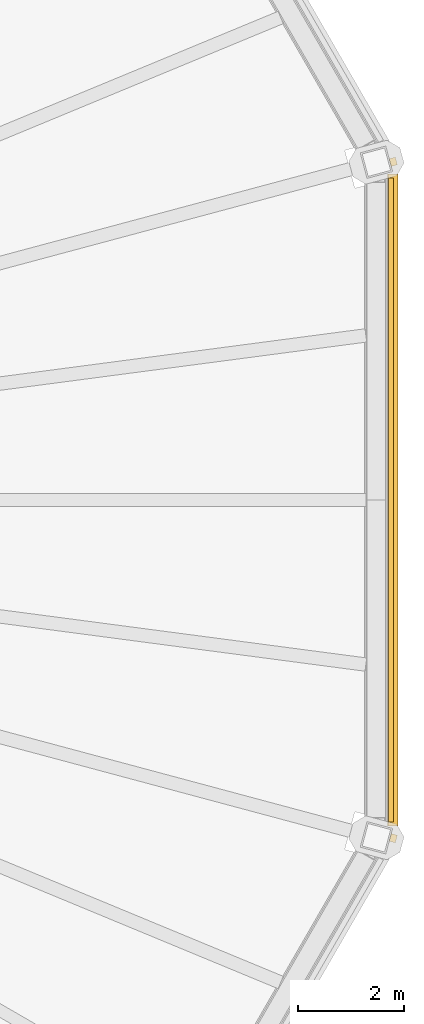
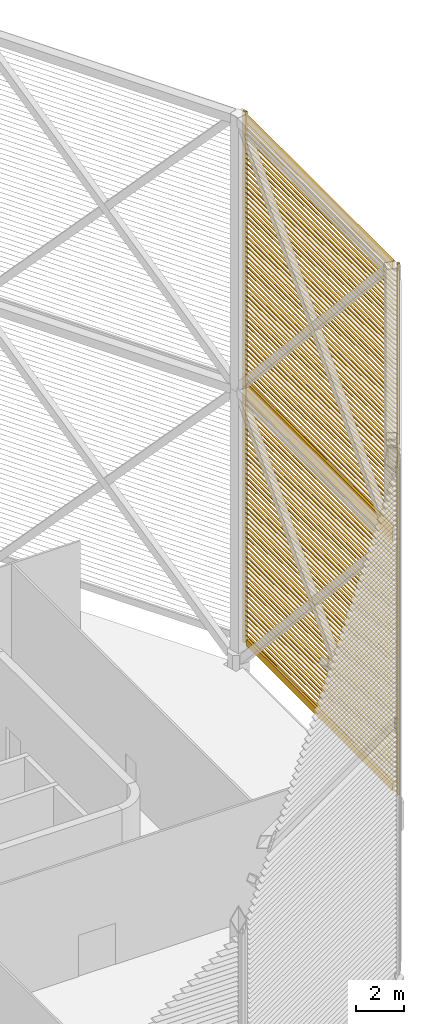
# One storey, part 13 of 18: 2 shading devices.
"""IFC4 building model written with IfcOpenShell, lengths in metres."""

from ifc_helpers import new_model, si_unit, direction, frame, origin, origin_2d, place, context, subcontext, project, spatial, rectangle, extrude, material, type_object, element, save


model = new_model("IFC4")

# Units and contexts
model_context = context("Model", 3, precision=1e-05, world=origin(), true_north=direction((0.0, 1.0)))
body_context = subcontext(model_context, "Body", "Model", "MODEL_VIEW")
ifc_project = project(units=[si_unit("LENGTHUNIT", "METRE"), si_unit("AREAUNIT", "SQUARE_METRE"), si_unit("VOLUMEUNIT", "CUBIC_METRE"), si_unit("PLANEANGLEUNIT", "RADIAN"), si_unit("MASSUNIT", "GRAM", prefix="KILO")], contexts=[model_context])

# Site, building, storey
site_placement = place(None, origin())
site = spatial("IfcSite", under=ifc_project, at=site_placement, CompositionType="ELEMENT")
building_placement = place(site_placement, origin())
building = spatial("IfcBuilding", under=site, at=building_placement, Name="Sahrelin Media Tower", CompositionType="ELEMENT")
storey_placement = place(building_placement, frame((0.0, 0.0, 335.800048828125)))
storey = spatial("IfcBuildingStorey", under=building, at=storey_placement, Name="Crown", CompositionType="ELEMENT", Elevation=335.800048828125)

# Shading devices
ifc_material = material(Name="Champagne anodised aluminium 6063-T6", Category="aluminium")
shading_device_type = type_object("IfcShadingDeviceType", Name="Crown louvre screen", PredefinedType="USERDEFINED", material=ifc_material)
shading_device_1_placement = place(storey_placement, frame((23.830078125, -6.38525390625, 0.949951171875), z_axis=(0.0, 0.0, 1.0), x_axis=(0.0, -1.0, 0.0)))
element("IfcShadingDevice", 1, at=shading_device_1_placement, inside=storey, type_object=shading_device_type, Name="Crown louvre screen CS-11A", ObjectType="LOUVRE", PredefinedType="USERDEFINED", context=body_context, shape_type="SweptSolid", body=[
    extrude(rectangle(XDim=0.10009765625, YDim=0.35009765625, at=origin_2d()), frame((-0.300048828125, 0.27490234375, 12.875), z_axis=(-1.0, 0.0, 0.0), x_axis=(0.0, -1.0, 0.0)), (0.0, 0.0, 1.0), 12.170654296875),
    extrude(rectangle(XDim=0.10009765625, YDim=0.35009765625, at=origin_2d()), frame((-0.300048828125, 0.27490234375, 0.175048828125), z_axis=(-1.0, 0.0, 0.0), x_axis=(0.0, -1.0, 0.0)), (0.0, 0.0, 1.0), 12.170654296875),
    extrude(rectangle(XDim=0.1201171875, YDim=0.14990234375, at=origin_2d()), frame((0.0078125, 0.31884765625, 0.0), z_axis=(0.0, 0.0, 1.0), x_axis=(0.258819045103, 0.965925826289, 0.0)), (0.0, 0.0, 1.0), 13.050048828125),
    extrude(rectangle(XDim=0.1201171875, YDim=0.14990234375, at=origin_2d()), frame((-12.7783203125, 0.31884765625, 0.0), z_axis=(0.0, 0.0, 1.0), x_axis=(-0.258819045103, 0.965925826289, 0.0)), (0.0, 0.0, 1.0), 13.050048828125),
    extrude(rectangle(XDim=0.25, YDim=0.02001953125, at=origin_2d()), frame((-0.219970703125, 0.31005859375, 0.449951171875), z_axis=(-1.0, 0.0, 0.0), x_axis=(0.0, -0.766044443119, 0.642787609687)), (0.0, 0.0, 1.0), 12.33056640625),
    extrude(rectangle(XDim=0.25, YDim=0.02001953125, at=origin_2d()), frame((-0.219970703125, 0.31005859375, 0.699951171875), z_axis=(-1.0, 0.0, 0.0), x_axis=(0.0, -0.766044443119, 0.642787609687)), (0.0, 0.0, 1.0), 12.33056640625),
    extrude(rectangle(XDim=0.25, YDim=0.02001953125, at=origin_2d()), frame((-0.219970703125, 0.31005859375, 0.949951171875), z_axis=(-1.0, 0.0, 0.0), x_axis=(0.0, -0.766044443119, 0.642787609687)), (0.0, 0.0, 1.0), 12.33056640625),
    extrude(rectangle(XDim=0.25, YDim=0.02001953125, at=origin_2d()), frame((-0.219970703125, 0.31005859375, 1.199951171875), z_axis=(-1.0, 0.0, 0.0), x_axis=(0.0, -0.766044443119, 0.642787609687)), (0.0, 0.0, 1.0), 12.33056640625),
    extrude(rectangle(XDim=0.25, YDim=0.02001953125, at=origin_2d()), frame((-0.219970703125, 0.31005859375, 1.449951171875), z_axis=(-1.0, 0.0, 0.0), x_axis=(0.0, -0.766044443119, 0.642787609687)), (0.0, 0.0, 1.0), 12.33056640625),
    extrude(rectangle(XDim=0.25, YDim=0.02001953125, at=origin_2d()), frame((-0.219970703125, 0.31005859375, 1.699951171875), z_axis=(-1.0, 0.0, 0.0), x_axis=(0.0, -0.766044443119, 0.642787609687)), (0.0, 0.0, 1.0), 12.33056640625),
    extrude(rectangle(XDim=0.25, YDim=0.02001953125, at=origin_2d()), frame((-0.219970703125, 0.31005859375, 1.949951171875), z_axis=(-1.0, 0.0, 0.0), x_axis=(0.0, -0.766044443119, 0.642787609687)), (0.0, 0.0, 1.0), 12.33056640625),
    extrude(rectangle(XDim=0.25, YDim=0.02001953125, at=origin_2d()), frame((-0.219970703125, 0.31005859375, 2.199951171875), z_axis=(-1.0, 0.0, 0.0), x_axis=(0.0, -0.766044443119, 0.642787609687)), (0.0, 0.0, 1.0), 12.33056640625),
    extrude(rectangle(XDim=0.25, YDim=0.02001953125, at=origin_2d()), frame((-0.219970703125, 0.31005859375, 2.449951171875), z_axis=(-1.0, 0.0, 0.0), x_axis=(0.0, -0.766044443119, 0.642787609687)), (0.0, 0.0, 1.0), 12.33056640625),
    extrude(rectangle(XDim=0.25, YDim=0.02001953125, at=origin_2d()), frame((-0.219970703125, 0.31005859375, 2.699951171875), z_axis=(-1.0, 0.0, 0.0), x_axis=(0.0, -0.766044443119, 0.642787609687)), (0.0, 0.0, 1.0), 12.33056640625),
    extrude(rectangle(XDim=0.25, YDim=0.02001953125, at=origin_2d()), frame((-0.219970703125, 0.31005859375, 2.949951171875), z_axis=(-1.0, 0.0, 0.0), x_axis=(0.0, -0.766044443119, 0.642787609687)), (0.0, 0.0, 1.0), 12.33056640625),
    extrude(rectangle(XDim=0.25, YDim=0.02001953125, at=origin_2d()), frame((-0.219970703125, 0.31005859375, 3.199951171875), z_axis=(-1.0, 0.0, 0.0), x_axis=(0.0, -0.766044443119, 0.642787609687)), (0.0, 0.0, 1.0), 12.33056640625),
    extrude(rectangle(XDim=0.25, YDim=0.02001953125, at=origin_2d()), frame((-0.219970703125, 0.31005859375, 3.449951171875), z_axis=(-1.0, 0.0, 0.0), x_axis=(0.0, -0.766044443119, 0.642787609687)), (0.0, 0.0, 1.0), 12.33056640625),
    extrude(rectangle(XDim=0.25, YDim=0.02001953125, at=origin_2d()), frame((-0.219970703125, 0.31005859375, 3.699951171875), z_axis=(-1.0, 0.0, 0.0), x_axis=(0.0, -0.766044443119, 0.642787609687)), (0.0, 0.0, 1.0), 12.33056640625),
    extrude(rectangle(XDim=0.25, YDim=0.02001953125, at=origin_2d()), frame((-0.219970703125, 0.31005859375, 3.949951171875), z_axis=(-1.0, 0.0, 0.0), x_axis=(0.0, -0.766044443119, 0.642787609687)), (0.0, 0.0, 1.0), 12.33056640625),
    extrude(rectangle(XDim=0.25, YDim=0.02001953125, at=origin_2d()), frame((-0.219970703125, 0.31005859375, 4.199951171875), z_axis=(-1.0, 0.0, 0.0), x_axis=(0.0, -0.766044443119, 0.642787609687)), (0.0, 0.0, 1.0), 12.33056640625),
    extrude(rectangle(XDim=0.25, YDim=0.02001953125, at=origin_2d()), frame((-0.219970703125, 0.31005859375, 4.449951171875), z_axis=(-1.0, 0.0, 0.0), x_axis=(0.0, -0.766044443119, 0.642787609687)), (0.0, 0.0, 1.0), 12.33056640625),
    extrude(rectangle(XDim=0.25, YDim=0.02001953125, at=origin_2d()), frame((-0.219970703125, 0.31005859375, 4.699951171875), z_axis=(-1.0, 0.0, 0.0), x_axis=(0.0, -0.766044443119, 0.642787609687)), (0.0, 0.0, 1.0), 12.33056640625),
    extrude(rectangle(XDim=0.25, YDim=0.02001953125, at=origin_2d()), frame((-0.219970703125, 0.31005859375, 4.949951171875), z_axis=(-1.0, 0.0, 0.0), x_axis=(0.0, -0.766044443119, 0.642787609687)), (0.0, 0.0, 1.0), 12.33056640625),
    extrude(rectangle(XDim=0.25, YDim=0.02001953125, at=origin_2d()), frame((-0.219970703125, 0.31005859375, 5.199951171875), z_axis=(-1.0, 0.0, 0.0), x_axis=(0.0, -0.766044443119, 0.642787609687)), (0.0, 0.0, 1.0), 12.33056640625),
    extrude(rectangle(XDim=0.25, YDim=0.02001953125, at=origin_2d()), frame((-0.219970703125, 0.31005859375, 5.449951171875), z_axis=(-1.0, 0.0, 0.0), x_axis=(0.0, -0.766044443119, 0.642787609687)), (0.0, 0.0, 1.0), 12.33056640625),
    extrude(rectangle(XDim=0.25, YDim=0.02001953125, at=origin_2d()), frame((-0.219970703125, 0.31005859375, 5.699951171875), z_axis=(-1.0, 0.0, 0.0), x_axis=(0.0, -0.766044443119, 0.642787609687)), (0.0, 0.0, 1.0), 12.33056640625),
    extrude(rectangle(XDim=0.25, YDim=0.02001953125, at=origin_2d()), frame((-0.219970703125, 0.31005859375, 5.949951171875), z_axis=(-1.0, 0.0, 0.0), x_axis=(0.0, -0.766044443119, 0.642787609687)), (0.0, 0.0, 1.0), 12.33056640625),
    extrude(rectangle(XDim=0.25, YDim=0.02001953125, at=origin_2d()), frame((-0.219970703125, 0.31005859375, 6.199951171875), z_axis=(-1.0, 0.0, 0.0), x_axis=(0.0, -0.766044443119, 0.642787609687)), (0.0, 0.0, 1.0), 12.33056640625),
    extrude(rectangle(XDim=0.25, YDim=0.02001953125, at=origin_2d()), frame((-0.219970703125, 0.31005859375, 6.449951171875), z_axis=(-1.0, 0.0, 0.0), x_axis=(0.0, -0.766044443119, 0.642787609687)), (0.0, 0.0, 1.0), 12.33056640625),
    extrude(rectangle(XDim=0.25, YDim=0.02001953125, at=origin_2d()), frame((-0.219970703125, 0.31005859375, 6.699951171875), z_axis=(-1.0, 0.0, 0.0), x_axis=(0.0, -0.766044443119, 0.642787609687)), (0.0, 0.0, 1.0), 12.33056640625),
    extrude(rectangle(XDim=0.25, YDim=0.02001953125, at=origin_2d()), frame((-0.219970703125, 0.31005859375, 6.949951171875), z_axis=(-1.0, 0.0, 0.0), x_axis=(0.0, -0.766044443119, 0.642787609687)), (0.0, 0.0, 1.0), 12.33056640625),
    extrude(rectangle(XDim=0.25, YDim=0.02001953125, at=origin_2d()), frame((-0.219970703125, 0.31005859375, 7.199951171875), z_axis=(-1.0, 0.0, 0.0), x_axis=(0.0, -0.766044443119, 0.642787609687)), (0.0, 0.0, 1.0), 12.33056640625),
    extrude(rectangle(XDim=0.25, YDim=0.02001953125, at=origin_2d()), frame((-0.219970703125, 0.31005859375, 7.449951171875), z_axis=(-1.0, 0.0, 0.0), x_axis=(0.0, -0.766044443119, 0.642787609687)), (0.0, 0.0, 1.0), 12.33056640625),
    extrude(rectangle(XDim=0.25, YDim=0.02001953125, at=origin_2d()), frame((-0.219970703125, 0.31005859375, 7.699951171875), z_axis=(-1.0, 0.0, 0.0), x_axis=(0.0, -0.766044443119, 0.642787609687)), (0.0, 0.0, 1.0), 12.33056640625),
    extrude(rectangle(XDim=0.25, YDim=0.02001953125, at=origin_2d()), frame((-0.219970703125, 0.31005859375, 7.949951171875), z_axis=(-1.0, 0.0, 0.0), x_axis=(0.0, -0.766044443119, 0.642787609687)), (0.0, 0.0, 1.0), 12.33056640625),
    extrude(rectangle(XDim=0.25, YDim=0.02001953125, at=origin_2d()), frame((-0.219970703125, 0.31005859375, 8.199951171875), z_axis=(-1.0, 0.0, 0.0), x_axis=(0.0, -0.766044443119, 0.642787609687)), (0.0, 0.0, 1.0), 12.33056640625),
    extrude(rectangle(XDim=0.25, YDim=0.02001953125, at=origin_2d()), frame((-0.219970703125, 0.31005859375, 8.449951171875), z_axis=(-1.0, 0.0, 0.0), x_axis=(0.0, -0.766044443119, 0.642787609687)), (0.0, 0.0, 1.0), 12.33056640625),
    extrude(rectangle(XDim=0.25, YDim=0.02001953125, at=origin_2d()), frame((-0.219970703125, 0.31005859375, 8.699951171875), z_axis=(-1.0, 0.0, 0.0), x_axis=(0.0, -0.766044443119, 0.642787609687)), (0.0, 0.0, 1.0), 12.33056640625),
    extrude(rectangle(XDim=0.25, YDim=0.02001953125, at=origin_2d()), frame((-0.219970703125, 0.31005859375, 8.949951171875), z_axis=(-1.0, 0.0, 0.0), x_axis=(0.0, -0.766044443119, 0.642787609687)), (0.0, 0.0, 1.0), 12.33056640625),
    extrude(rectangle(XDim=0.25, YDim=0.02001953125, at=origin_2d()), frame((-0.219970703125, 0.31005859375, 9.199951171875), z_axis=(-1.0, 0.0, 0.0), x_axis=(0.0, -0.766044443119, 0.642787609687)), (0.0, 0.0, 1.0), 12.33056640625),
    extrude(rectangle(XDim=0.25, YDim=0.02001953125, at=origin_2d()), frame((-0.219970703125, 0.31005859375, 9.449951171875), z_axis=(-1.0, 0.0, 0.0), x_axis=(0.0, -0.766044443119, 0.642787609687)), (0.0, 0.0, 1.0), 12.33056640625),
    extrude(rectangle(XDim=0.25, YDim=0.02001953125, at=origin_2d()), frame((-0.219970703125, 0.31005859375, 9.699951171875), z_axis=(-1.0, 0.0, 0.0), x_axis=(0.0, -0.766044443119, 0.642787609687)), (0.0, 0.0, 1.0), 12.33056640625),
    extrude(rectangle(XDim=0.25, YDim=0.02001953125, at=origin_2d()), frame((-0.219970703125, 0.31005859375, 9.949951171875), z_axis=(-1.0, 0.0, 0.0), x_axis=(0.0, -0.766044443119, 0.642787609687)), (0.0, 0.0, 1.0), 12.33056640625),
    extrude(rectangle(XDim=0.25, YDim=0.02001953125, at=origin_2d()), frame((-0.219970703125, 0.31005859375, 10.199951171875), z_axis=(-1.0, 0.0, 0.0), x_axis=(0.0, -0.766044443119, 0.642787609687)), (0.0, 0.0, 1.0), 12.33056640625),
    extrude(rectangle(XDim=0.25, YDim=0.02001953125, at=origin_2d()), frame((-0.219970703125, 0.31005859375, 10.449951171875), z_axis=(-1.0, 0.0, 0.0), x_axis=(0.0, -0.766044443119, 0.642787609687)), (0.0, 0.0, 1.0), 12.33056640625),
    extrude(rectangle(XDim=0.25, YDim=0.02001953125, at=origin_2d()), frame((-0.219970703125, 0.31005859375, 10.699951171875), z_axis=(-1.0, 0.0, 0.0), x_axis=(0.0, -0.766044443119, 0.642787609687)), (0.0, 0.0, 1.0), 12.33056640625),
    extrude(rectangle(XDim=0.25, YDim=0.02001953125, at=origin_2d()), frame((-0.219970703125, 0.31005859375, 10.949951171875), z_axis=(-1.0, 0.0, 0.0), x_axis=(0.0, -0.766044443119, 0.642787609687)), (0.0, 0.0, 1.0), 12.33056640625),
    extrude(rectangle(XDim=0.25, YDim=0.02001953125, at=origin_2d()), frame((-0.219970703125, 0.31005859375, 11.199951171875), z_axis=(-1.0, 0.0, 0.0), x_axis=(0.0, -0.766044443119, 0.642787609687)), (0.0, 0.0, 1.0), 12.33056640625),
    extrude(rectangle(XDim=0.25, YDim=0.02001953125, at=origin_2d()), frame((-0.219970703125, 0.31005859375, 11.449951171875), z_axis=(-1.0, 0.0, 0.0), x_axis=(0.0, -0.766044443119, 0.642787609687)), (0.0, 0.0, 1.0), 12.33056640625),
    extrude(rectangle(XDim=0.25, YDim=0.02001953125, at=origin_2d()), frame((-0.219970703125, 0.31005859375, 11.699951171875), z_axis=(-1.0, 0.0, 0.0), x_axis=(0.0, -0.766044443119, 0.642787609687)), (0.0, 0.0, 1.0), 12.33056640625),
    extrude(rectangle(XDim=0.25, YDim=0.02001953125, at=origin_2d()), frame((-0.219970703125, 0.31005859375, 11.949951171875), z_axis=(-1.0, 0.0, 0.0), x_axis=(0.0, -0.766044443119, 0.642787609687)), (0.0, 0.0, 1.0), 12.33056640625),
    extrude(rectangle(XDim=0.25, YDim=0.02001953125, at=origin_2d()), frame((-0.219970703125, 0.31005859375, 12.199951171875), z_axis=(-1.0, 0.0, 0.0), x_axis=(0.0, -0.766044443119, 0.642787609687)), (0.0, 0.0, 1.0), 12.33056640625),
    extrude(rectangle(XDim=0.25, YDim=0.02001953125, at=origin_2d()), frame((-0.219970703125, 0.31005859375, 12.449951171875), z_axis=(-1.0, 0.0, 0.0), x_axis=(0.0, -0.766044443119, 0.642787609687)), (0.0, 0.0, 1.0), 12.33056640625),
])
shading_device_2_placement = place(storey_placement, frame((23.830078125, -6.38525390625, 14.0), z_axis=(0.0, 0.0, 1.0), x_axis=(0.0, -1.0, 0.0)))
element("IfcShadingDevice", 2, at=shading_device_2_placement, inside=storey, type_object=shading_device_type, Name="Crown louvre screen CS-11B", ObjectType="LOUVRE", PredefinedType="USERDEFINED", context=body_context, shape_type="SweptSolid", body=[
    extrude(rectangle(XDim=0.10009765625, YDim=0.35009765625, at=origin_2d()), frame((-0.300048828125, 0.27490234375, 13.77490234375), z_axis=(-1.0, 0.0, 0.0), x_axis=(0.0, -1.0, 0.0)), (0.0, 0.0, 1.0), 12.170654296875),
    extrude(rectangle(XDim=0.10009765625, YDim=0.35009765625, at=origin_2d()), frame((-0.300048828125, 0.27490234375, 0.175048828125), z_axis=(-1.0, 0.0, 0.0), x_axis=(0.0, -1.0, 0.0)), (0.0, 0.0, 1.0), 12.170654296875),
    extrude(rectangle(XDim=0.1201171875, YDim=0.14990234375, at=origin_2d()), frame((0.0078125, 0.31884765625, 0.0), z_axis=(0.0, 0.0, 1.0), x_axis=(0.258819045103, 0.965925826289, 0.0)), (0.0, 0.0, 1.0), 14.0),
    extrude(rectangle(XDim=0.1201171875, YDim=0.14990234375, at=origin_2d()), frame((-12.7783203125, 0.31884765625, 0.0), z_axis=(0.0, 0.0, 1.0), x_axis=(-0.258819045103, 0.965925826289, 0.0)), (0.0, 0.0, 1.0), 14.0),
    extrude(rectangle(XDim=0.25, YDim=0.02001953125, at=origin_2d()), frame((-0.219970703125, 0.31005859375, 0.449951171875), z_axis=(-1.0, 0.0, 0.0), x_axis=(0.0, -0.766044443119, 0.642787609687)), (0.0, 0.0, 1.0), 12.33056640625),
    extrude(rectangle(XDim=0.25, YDim=0.02001953125, at=origin_2d()), frame((-0.219970703125, 0.31005859375, 0.699951171875), z_axis=(-1.0, 0.0, 0.0), x_axis=(0.0, -0.766044443119, 0.642787609687)), (0.0, 0.0, 1.0), 12.33056640625),
    extrude(rectangle(XDim=0.25, YDim=0.02001953125, at=origin_2d()), frame((-0.219970703125, 0.31005859375, 0.949951171875), z_axis=(-1.0, 0.0, 0.0), x_axis=(0.0, -0.766044443119, 0.642787609687)), (0.0, 0.0, 1.0), 12.33056640625),
    extrude(rectangle(XDim=0.25, YDim=0.02001953125, at=origin_2d()), frame((-0.219970703125, 0.31005859375, 1.199951171875), z_axis=(-1.0, 0.0, 0.0), x_axis=(0.0, -0.766044443119, 0.642787609687)), (0.0, 0.0, 1.0), 12.33056640625),
    extrude(rectangle(XDim=0.25, YDim=0.02001953125, at=origin_2d()), frame((-0.219970703125, 0.31005859375, 1.449951171875), z_axis=(-1.0, 0.0, 0.0), x_axis=(0.0, -0.766044443119, 0.642787609687)), (0.0, 0.0, 1.0), 12.33056640625),
    extrude(rectangle(XDim=0.25, YDim=0.02001953125, at=origin_2d()), frame((-0.219970703125, 0.31005859375, 1.699951171875), z_axis=(-1.0, 0.0, 0.0), x_axis=(0.0, -0.766044443119, 0.642787609687)), (0.0, 0.0, 1.0), 12.33056640625),
    extrude(rectangle(XDim=0.25, YDim=0.02001953125, at=origin_2d()), frame((-0.219970703125, 0.31005859375, 1.949951171875), z_axis=(-1.0, 0.0, 0.0), x_axis=(0.0, -0.766044443119, 0.642787609687)), (0.0, 0.0, 1.0), 12.33056640625),
    extrude(rectangle(XDim=0.25, YDim=0.02001953125, at=origin_2d()), frame((-0.219970703125, 0.31005859375, 2.199951171875), z_axis=(-1.0, 0.0, 0.0), x_axis=(0.0, -0.766044443119, 0.642787609687)), (0.0, 0.0, 1.0), 12.33056640625),
    extrude(rectangle(XDim=0.25, YDim=0.02001953125, at=origin_2d()), frame((-0.219970703125, 0.31005859375, 2.449951171875), z_axis=(-1.0, 0.0, 0.0), x_axis=(0.0, -0.766044443119, 0.642787609687)), (0.0, 0.0, 1.0), 12.33056640625),
    extrude(rectangle(XDim=0.25, YDim=0.02001953125, at=origin_2d()), frame((-0.219970703125, 0.31005859375, 2.699951171875), z_axis=(-1.0, 0.0, 0.0), x_axis=(0.0, -0.766044443119, 0.642787609687)), (0.0, 0.0, 1.0), 12.33056640625),
    extrude(rectangle(XDim=0.25, YDim=0.02001953125, at=origin_2d()), frame((-0.219970703125, 0.31005859375, 2.949951171875), z_axis=(-1.0, 0.0, 0.0), x_axis=(0.0, -0.766044443119, 0.642787609687)), (0.0, 0.0, 1.0), 12.33056640625),
    extrude(rectangle(XDim=0.25, YDim=0.02001953125, at=origin_2d()), frame((-0.219970703125, 0.31005859375, 3.199951171875), z_axis=(-1.0, 0.0, 0.0), x_axis=(0.0, -0.766044443119, 0.642787609687)), (0.0, 0.0, 1.0), 12.33056640625),
    extrude(rectangle(XDim=0.25, YDim=0.02001953125, at=origin_2d()), frame((-0.219970703125, 0.31005859375, 3.449951171875), z_axis=(-1.0, 0.0, 0.0), x_axis=(0.0, -0.766044443119, 0.642787609687)), (0.0, 0.0, 1.0), 12.33056640625),
    extrude(rectangle(XDim=0.25, YDim=0.02001953125, at=origin_2d()), frame((-0.219970703125, 0.31005859375, 3.699951171875), z_axis=(-1.0, 0.0, 0.0), x_axis=(0.0, -0.766044443119, 0.642787609687)), (0.0, 0.0, 1.0), 12.33056640625),
    extrude(rectangle(XDim=0.25, YDim=0.02001953125, at=origin_2d()), frame((-0.219970703125, 0.31005859375, 3.949951171875), z_axis=(-1.0, 0.0, 0.0), x_axis=(0.0, -0.766044443119, 0.642787609687)), (0.0, 0.0, 1.0), 12.33056640625),
    extrude(rectangle(XDim=0.25, YDim=0.02001953125, at=origin_2d()), frame((-0.219970703125, 0.31005859375, 4.199951171875), z_axis=(-1.0, 0.0, 0.0), x_axis=(0.0, -0.766044443119, 0.642787609687)), (0.0, 0.0, 1.0), 12.33056640625),
    extrude(rectangle(XDim=0.25, YDim=0.02001953125, at=origin_2d()), frame((-0.219970703125, 0.31005859375, 4.449951171875), z_axis=(-1.0, 0.0, 0.0), x_axis=(0.0, -0.766044443119, 0.642787609687)), (0.0, 0.0, 1.0), 12.33056640625),
    extrude(rectangle(XDim=0.25, YDim=0.02001953125, at=origin_2d()), frame((-0.219970703125, 0.31005859375, 4.699951171875), z_axis=(-1.0, 0.0, 0.0), x_axis=(0.0, -0.766044443119, 0.642787609687)), (0.0, 0.0, 1.0), 12.33056640625),
    extrude(rectangle(XDim=0.25, YDim=0.02001953125, at=origin_2d()), frame((-0.219970703125, 0.31005859375, 4.949951171875), z_axis=(-1.0, 0.0, 0.0), x_axis=(0.0, -0.766044443119, 0.642787609687)), (0.0, 0.0, 1.0), 12.33056640625),
    extrude(rectangle(XDim=0.25, YDim=0.02001953125, at=origin_2d()), frame((-0.219970703125, 0.31005859375, 5.199951171875), z_axis=(-1.0, 0.0, 0.0), x_axis=(0.0, -0.766044443119, 0.642787609687)), (0.0, 0.0, 1.0), 12.33056640625),
    extrude(rectangle(XDim=0.25, YDim=0.02001953125, at=origin_2d()), frame((-0.219970703125, 0.31005859375, 5.449951171875), z_axis=(-1.0, 0.0, 0.0), x_axis=(0.0, -0.766044443119, 0.642787609687)), (0.0, 0.0, 1.0), 12.33056640625),
    extrude(rectangle(XDim=0.25, YDim=0.02001953125, at=origin_2d()), frame((-0.219970703125, 0.31005859375, 5.699951171875), z_axis=(-1.0, 0.0, 0.0), x_axis=(0.0, -0.766044443119, 0.642787609687)), (0.0, 0.0, 1.0), 12.33056640625),
    extrude(rectangle(XDim=0.25, YDim=0.02001953125, at=origin_2d()), frame((-0.219970703125, 0.31005859375, 5.949951171875), z_axis=(-1.0, 0.0, 0.0), x_axis=(0.0, -0.766044443119, 0.642787609687)), (0.0, 0.0, 1.0), 12.33056640625),
    extrude(rectangle(XDim=0.25, YDim=0.02001953125, at=origin_2d()), frame((-0.219970703125, 0.31005859375, 6.199951171875), z_axis=(-1.0, 0.0, 0.0), x_axis=(0.0, -0.766044443119, 0.642787609687)), (0.0, 0.0, 1.0), 12.33056640625),
    extrude(rectangle(XDim=0.25, YDim=0.02001953125, at=origin_2d()), frame((-0.219970703125, 0.31005859375, 6.449951171875), z_axis=(-1.0, 0.0, 0.0), x_axis=(0.0, -0.766044443119, 0.642787609687)), (0.0, 0.0, 1.0), 12.33056640625),
    extrude(rectangle(XDim=0.25, YDim=0.02001953125, at=origin_2d()), frame((-0.219970703125, 0.31005859375, 6.699951171875), z_axis=(-1.0, 0.0, 0.0), x_axis=(0.0, -0.766044443119, 0.642787609687)), (0.0, 0.0, 1.0), 12.33056640625),
    extrude(rectangle(XDim=0.25, YDim=0.02001953125, at=origin_2d()), frame((-0.219970703125, 0.31005859375, 6.949951171875), z_axis=(-1.0, 0.0, 0.0), x_axis=(0.0, -0.766044443119, 0.642787609687)), (0.0, 0.0, 1.0), 12.33056640625),
    extrude(rectangle(XDim=0.25, YDim=0.02001953125, at=origin_2d()), frame((-0.219970703125, 0.31005859375, 7.199951171875), z_axis=(-1.0, 0.0, 0.0), x_axis=(0.0, -0.766044443119, 0.642787609687)), (0.0, 0.0, 1.0), 12.33056640625),
    extrude(rectangle(XDim=0.25, YDim=0.02001953125, at=origin_2d()), frame((-0.219970703125, 0.31005859375, 7.449951171875), z_axis=(-1.0, 0.0, 0.0), x_axis=(0.0, -0.766044443119, 0.642787609687)), (0.0, 0.0, 1.0), 12.33056640625),
    extrude(rectangle(XDim=0.25, YDim=0.02001953125, at=origin_2d()), frame((-0.219970703125, 0.31005859375, 7.699951171875), z_axis=(-1.0, 0.0, 0.0), x_axis=(0.0, -0.766044443119, 0.642787609687)), (0.0, 0.0, 1.0), 12.33056640625),
    extrude(rectangle(XDim=0.25, YDim=0.02001953125, at=origin_2d()), frame((-0.219970703125, 0.31005859375, 7.949951171875), z_axis=(-1.0, 0.0, 0.0), x_axis=(0.0, -0.766044443119, 0.642787609687)), (0.0, 0.0, 1.0), 12.33056640625),
    extrude(rectangle(XDim=0.25, YDim=0.02001953125, at=origin_2d()), frame((-0.219970703125, 0.31005859375, 8.199951171875), z_axis=(-1.0, 0.0, 0.0), x_axis=(0.0, -0.766044443119, 0.642787609687)), (0.0, 0.0, 1.0), 12.33056640625),
    extrude(rectangle(XDim=0.25, YDim=0.02001953125, at=origin_2d()), frame((-0.219970703125, 0.31005859375, 8.449951171875), z_axis=(-1.0, 0.0, 0.0), x_axis=(0.0, -0.766044443119, 0.642787609687)), (0.0, 0.0, 1.0), 12.33056640625),
    extrude(rectangle(XDim=0.25, YDim=0.02001953125, at=origin_2d()), frame((-0.219970703125, 0.31005859375, 8.699951171875), z_axis=(-1.0, 0.0, 0.0), x_axis=(0.0, -0.766044443119, 0.642787609687)), (0.0, 0.0, 1.0), 12.33056640625),
    extrude(rectangle(XDim=0.25, YDim=0.02001953125, at=origin_2d()), frame((-0.219970703125, 0.31005859375, 8.949951171875), z_axis=(-1.0, 0.0, 0.0), x_axis=(0.0, -0.766044443119, 0.642787609687)), (0.0, 0.0, 1.0), 12.33056640625),
    extrude(rectangle(XDim=0.25, YDim=0.02001953125, at=origin_2d()), frame((-0.219970703125, 0.31005859375, 9.199951171875), z_axis=(-1.0, 0.0, 0.0), x_axis=(0.0, -0.766044443119, 0.642787609687)), (0.0, 0.0, 1.0), 12.33056640625),
    extrude(rectangle(XDim=0.25, YDim=0.02001953125, at=origin_2d()), frame((-0.219970703125, 0.31005859375, 9.449951171875), z_axis=(-1.0, 0.0, 0.0), x_axis=(0.0, -0.766044443119, 0.642787609687)), (0.0, 0.0, 1.0), 12.33056640625),
    extrude(rectangle(XDim=0.25, YDim=0.02001953125, at=origin_2d()), frame((-0.219970703125, 0.31005859375, 9.699951171875), z_axis=(-1.0, 0.0, 0.0), x_axis=(0.0, -0.766044443119, 0.642787609687)), (0.0, 0.0, 1.0), 12.33056640625),
    extrude(rectangle(XDim=0.25, YDim=0.02001953125, at=origin_2d()), frame((-0.219970703125, 0.31005859375, 9.949951171875), z_axis=(-1.0, 0.0, 0.0), x_axis=(0.0, -0.766044443119, 0.642787609687)), (0.0, 0.0, 1.0), 12.33056640625),
    extrude(rectangle(XDim=0.25, YDim=0.02001953125, at=origin_2d()), frame((-0.219970703125, 0.31005859375, 10.199951171875), z_axis=(-1.0, 0.0, 0.0), x_axis=(0.0, -0.766044443119, 0.642787609687)), (0.0, 0.0, 1.0), 12.33056640625),
    extrude(rectangle(XDim=0.25, YDim=0.02001953125, at=origin_2d()), frame((-0.219970703125, 0.31005859375, 10.449951171875), z_axis=(-1.0, 0.0, 0.0), x_axis=(0.0, -0.766044443119, 0.642787609687)), (0.0, 0.0, 1.0), 12.33056640625),
    extrude(rectangle(XDim=0.25, YDim=0.02001953125, at=origin_2d()), frame((-0.219970703125, 0.31005859375, 10.699951171875), z_axis=(-1.0, 0.0, 0.0), x_axis=(0.0, -0.766044443119, 0.642787609687)), (0.0, 0.0, 1.0), 12.33056640625),
    extrude(rectangle(XDim=0.25, YDim=0.02001953125, at=origin_2d()), frame((-0.219970703125, 0.31005859375, 10.949951171875), z_axis=(-1.0, 0.0, 0.0), x_axis=(0.0, -0.766044443119, 0.642787609687)), (0.0, 0.0, 1.0), 12.33056640625),
    extrude(rectangle(XDim=0.25, YDim=0.02001953125, at=origin_2d()), frame((-0.219970703125, 0.31005859375, 11.199951171875), z_axis=(-1.0, 0.0, 0.0), x_axis=(0.0, -0.766044443119, 0.642787609687)), (0.0, 0.0, 1.0), 12.33056640625),
    extrude(rectangle(XDim=0.25, YDim=0.02001953125, at=origin_2d()), frame((-0.219970703125, 0.31005859375, 11.449951171875), z_axis=(-1.0, 0.0, 0.0), x_axis=(0.0, -0.766044443119, 0.642787609687)), (0.0, 0.0, 1.0), 12.33056640625),
    extrude(rectangle(XDim=0.25, YDim=0.02001953125, at=origin_2d()), frame((-0.219970703125, 0.31005859375, 11.699951171875), z_axis=(-1.0, 0.0, 0.0), x_axis=(0.0, -0.766044443119, 0.642787609687)), (0.0, 0.0, 1.0), 12.33056640625),
    extrude(rectangle(XDim=0.25, YDim=0.02001953125, at=origin_2d()), frame((-0.219970703125, 0.31005859375, 11.949951171875), z_axis=(-1.0, 0.0, 0.0), x_axis=(0.0, -0.766044443119, 0.642787609687)), (0.0, 0.0, 1.0), 12.33056640625),
    extrude(rectangle(XDim=0.25, YDim=0.02001953125, at=origin_2d()), frame((-0.219970703125, 0.31005859375, 12.199951171875), z_axis=(-1.0, 0.0, 0.0), x_axis=(0.0, -0.766044443119, 0.642787609687)), (0.0, 0.0, 1.0), 12.33056640625),
    extrude(rectangle(XDim=0.25, YDim=0.02001953125, at=origin_2d()), frame((-0.219970703125, 0.31005859375, 12.449951171875), z_axis=(-1.0, 0.0, 0.0), x_axis=(0.0, -0.766044443119, 0.642787609687)), (0.0, 0.0, 1.0), 12.33056640625),
    extrude(rectangle(XDim=0.25, YDim=0.02001953125, at=origin_2d()), frame((-0.219970703125, 0.31005859375, 12.699951171875), z_axis=(-1.0, 0.0, 0.0), x_axis=(0.0, -0.766044443119, 0.642787609687)), (0.0, 0.0, 1.0), 12.33056640625),
    extrude(rectangle(XDim=0.25, YDim=0.02001953125, at=origin_2d()), frame((-0.219970703125, 0.31005859375, 12.949951171875), z_axis=(-1.0, 0.0, 0.0), x_axis=(0.0, -0.766044443119, 0.642787609687)), (0.0, 0.0, 1.0), 12.33056640625),
    extrude(rectangle(XDim=0.25, YDim=0.02001953125, at=origin_2d()), frame((-0.219970703125, 0.31005859375, 13.199951171875), z_axis=(-1.0, 0.0, 0.0), x_axis=(0.0, -0.766044443119, 0.642787609687)), (0.0, 0.0, 1.0), 12.33056640625),
    extrude(rectangle(XDim=0.25, YDim=0.02001953125, at=origin_2d()), frame((-0.219970703125, 0.31005859375, 13.449951171875), z_axis=(-1.0, 0.0, 0.0), x_axis=(0.0, -0.766044443119, 0.642787609687)), (0.0, 0.0, 1.0), 12.33056640625),
])

save(model, "model.ifc")
